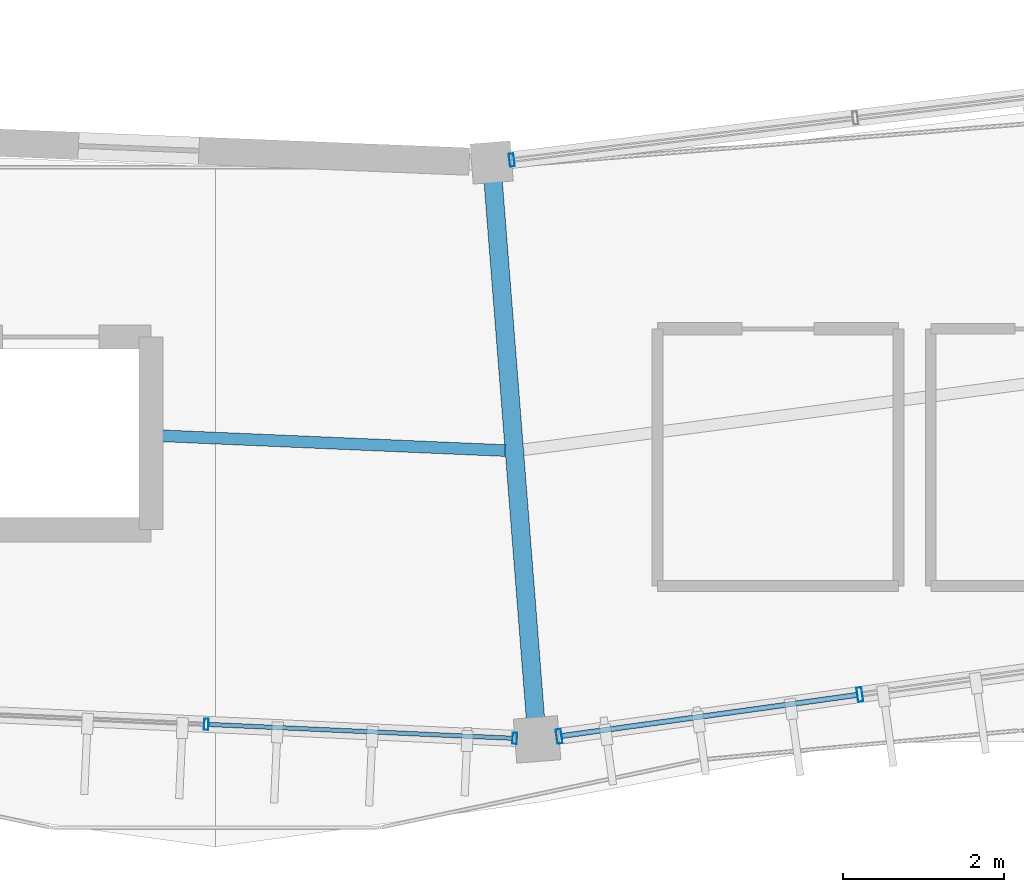
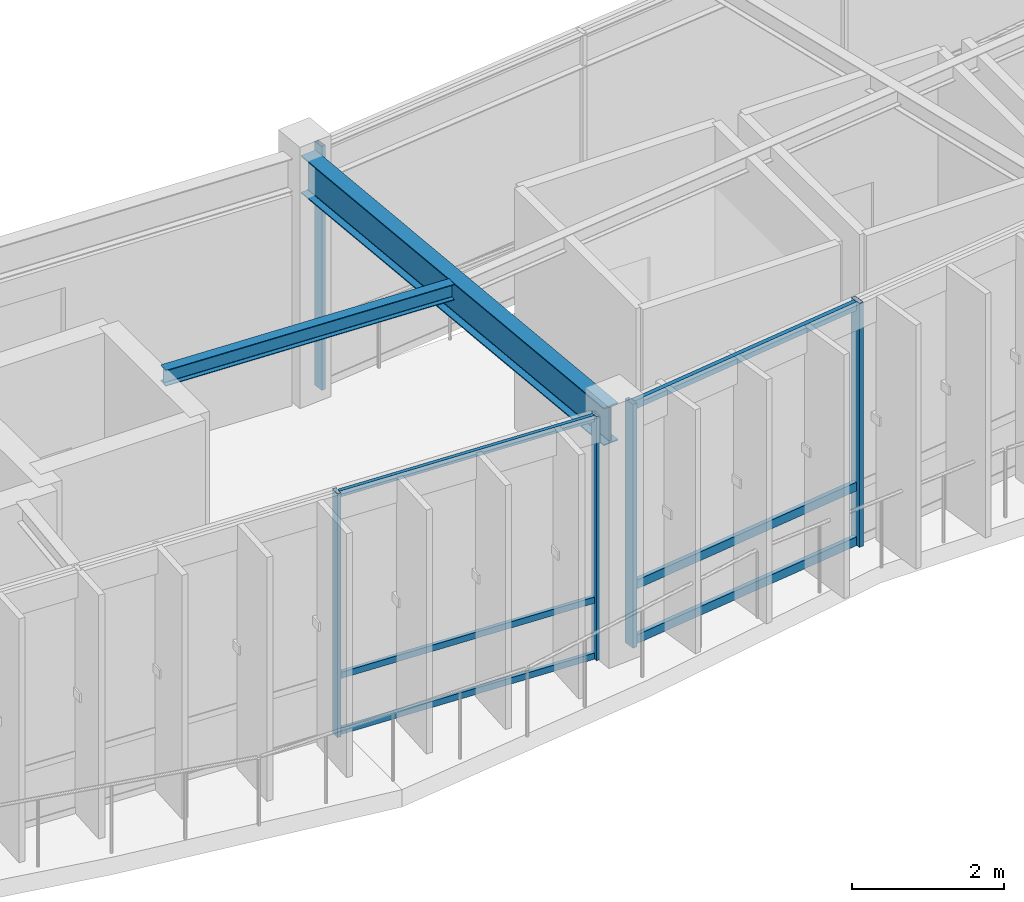
# One storey, part 18 of 79: 11 members, 2 beams, 3 elements without a shape of their own.
"""IFC4 building model written with IfcOpenShell, lengths in metres."""

from ifc_helpers import new_model, si_unit, direction, frame, origin, origin_2d, place, context, subcontext, project, spatial, hollow_rectangle, i_section, extrude, material, material_profile, profile_set, type_object, element, aggregate, save


model = new_model("IFC4")

# Units and contexts
model_context = context("Model", 3, precision=1e-05, world=origin(), true_north=direction((0.0, 1.0)))
body_context = subcontext(model_context, "Body", "Model", "MODEL_VIEW")
ifc_project = project(units=[si_unit("LENGTHUNIT", "METRE"), si_unit("AREAUNIT", "SQUARE_METRE"), si_unit("VOLUMEUNIT", "CUBIC_METRE"), si_unit("PLANEANGLEUNIT", "RADIAN"), si_unit("MASSUNIT", "GRAM", prefix="KILO"), si_unit("THERMODYNAMICTEMPERATUREUNIT", "KELVIN"), si_unit("POWERUNIT", "WATT")], contexts=[model_context])

# Site, building, storey
site_placement = place(None, origin())
site = spatial("IfcSite", under=ifc_project, at=site_placement, CompositionType="ELEMENT")
building_placement = place(site_placement, origin())
building = spatial("IfcBuilding", under=site, at=building_placement, Name="Darbajah Civic Hall", CompositionType="ELEMENT")
storey_placement = place(building_placement, frame((0.0, 0.0, 22.199951171875)))
storey = spatial("IfcBuildingStorey", under=building, at=storey_placement, Name="L05", CompositionType="ELEMENT", Elevation=22.199951171875)

# Curtain wall, members
ifc_material_1 = material(Name="Anodised Bronze Aluminium and Low-E Glazing", Category="aluminium")
curtain_wall_type_1 = type_object("IfcCurtainWallType", Name="Unitised Curtain Wall CW-84 15400x3900", PredefinedType="USERDEFINED", material=ifc_material_1)
curtain_wall_1_placement = place(storey_placement, origin())
curtain_wall_1 = element("IfcCurtainWall", 1, at=curtain_wall_1_placement, inside=storey, type_object=curtain_wall_type_1, Name="L05 unitised curtain wall CW-V1O-L05-14", ObjectType="UNITISED CURTAIN WALL", PredefinedType="USERDEFINED")
ifc_material_2 = material(Name="Anodised Bronze Aluminium", Category="aluminium")
ifc_material_profile_1 = material_profile(ifc_material_2, hollow_rectangle(XDim=0.054931640625, YDim=0.139892578125, WallThickness=0.003173828125, at=origin_2d()), Name="ALU MULLION 55x140")
ifc_profile_set_1 = profile_set([ifc_material_profile_1], Name="Anodised Bronze Aluminium")
member_type_1 = type_object("IfcMemberType", Name="ALU MULLION 55x140", PredefinedType="MULLION", material=ifc_profile_set_1)
member_1_placement = place(storey_placement, frame((88.986328125, 60.578125, 0.0), z_axis=(0.0, 0.0, 1.0), x_axis=(0.998962637241, -0.045537340693, 0.0)))
member_1 = element("IfcMember", 2, at=member_1_placement, type_object=member_type_1, Name="CW-V1O-L05-14 mullion 4", PredefinedType="MULLION", context=body_context, shape_type="SweptSolid", body=[
    extrude(hollow_rectangle(XDim=0.054931640625, YDim=0.139892578125, WallThickness=0.003173828125, at=origin_2d()), origin(), (0.0, 0.0, 1.0), 3.920166015625),
])
member_2_placement = place(storey_placement, frame((92.82470703125, 60.403564453125, 0.0), z_axis=(0.0, 0.0, 1.0), x_axis=(0.998962637241, -0.045537340693, 0.0)))
member_2 = element("IfcMember", 3, at=member_2_placement, type_object=member_type_1, Name="CW-V1O-L05-14 mullion 5", PredefinedType="MULLION", context=body_context, shape_type="SweptSolid", body=[
    extrude(hollow_rectangle(XDim=0.054931640625, YDim=0.139892578125, WallThickness=0.003173828125, at=origin_2d()), origin(), (0.0, 0.0, 1.0), 3.920166015625),
])

# Curtain wall, member
curtain_wall_type_2 = type_object("IfcCurtainWallType", Name="Unitised Curtain Wall CW-73 12900x3900", PredefinedType="USERDEFINED", material=ifc_material_1)
curtain_wall_2_placement = place(storey_placement, origin())
curtain_wall_2 = element("IfcCurtainWall", 4, at=curtain_wall_2_placement, inside=storey, type_object=curtain_wall_type_2, Name="L05 unitised curtain wall CW-V1I-L05-15", ObjectType="UNITISED CURTAIN WALL", PredefinedType="USERDEFINED")
ifc_material_profile_2 = material_profile(ifc_material_2, hollow_rectangle(XDim=0.06005859375, YDim=0.159912109375, WallThickness=0.00341796875, at=origin_2d()), Name="ALU MULLION 60x160")
ifc_profile_set_2 = profile_set([ifc_material_profile_2], Name="Anodised Bronze Aluminium")
member_type_2 = type_object("IfcMemberType", Name="ALU MULLION 60x160", PredefinedType="MULLION", material=ifc_profile_set_2)
member_3_placement = place(storey_placement, frame((92.78662109375, 67.599365234375, 0.0), z_axis=(0.0, 0.0, 1.0), x_axis=(0.992609826221, 0.121349630774, 0.0)))
member_3 = element("IfcMember", 5, at=member_3_placement, type_object=member_type_2, Name="CW-V1I-L05-15 mullion 1", PredefinedType="MULLION", context=body_context, shape_type="SweptSolid", body=[
    extrude(hollow_rectangle(XDim=0.06005859375, YDim=0.159912109375, WallThickness=0.00341796875, at=origin_2d()), origin(), (0.0, 0.0, 1.0), 3.920166015625),
])
aggregate(curtain_wall_2, [member_3])

# Curtain wall, members
curtain_wall_type_3 = type_object("IfcCurtainWallType", Name="Unitised Curtain Wall CW-72 15100x3900", PredefinedType="USERDEFINED", material=ifc_material_1)
curtain_wall_3_placement = place(storey_placement, origin())
curtain_wall_3 = element("IfcCurtainWall", 6, at=curtain_wall_3_placement, inside=storey, type_object=curtain_wall_type_3, Name="L05 unitised curtain wall CW-V1O-L05-15", ObjectType="UNITISED CURTAIN WALL", PredefinedType="USERDEFINED")
ifc_material_profile_3 = material_profile(ifc_material_2, hollow_rectangle(XDim=0.06494140625, YDim=0.179931640625, WallThickness=0.00390625, at=origin_2d()), Name="ALU MULLION 65x180")
ifc_profile_set_3 = profile_set([ifc_material_profile_3], Name="Anodised Bronze Aluminium")
member_type_3 = type_object("IfcMemberType", Name="ALU MULLION 65x180", PredefinedType="MULLION", material=ifc_profile_set_3)
member_4_placement = place(storey_placement, frame((93.375732421875, 60.428955078125, 0.0), z_axis=(0.0, 0.0, 1.0), x_axis=(0.990485459553, 0.137617420457, 0.0)))
member_4 = element("IfcMember", 7, at=member_4_placement, type_object=member_type_3, Name="CW-V1O-L05-15 mullion 1", PredefinedType="MULLION", context=body_context, shape_type="SweptSolid", body=[
    extrude(hollow_rectangle(XDim=0.06494140625, YDim=0.179931640625, WallThickness=0.00390625, at=origin_2d()), origin(), (0.0, 0.0, 1.0), 3.920166015625),
])
member_5_placement = place(storey_placement, frame((97.117431640625, 60.948486328125, 0.0), z_axis=(0.0, 0.0, 1.0), x_axis=(0.990485459553, 0.137617420457, 0.0)))
member_5 = element("IfcMember", 8, at=member_5_placement, type_object=member_type_3, Name="CW-V1O-L05-15 mullion 2", PredefinedType="MULLION", context=body_context, shape_type="SweptSolid", body=[
    extrude(hollow_rectangle(XDim=0.06494140625, YDim=0.179931640625, WallThickness=0.00390625, at=origin_2d()), origin(), (0.0, 0.0, 1.0), 3.920166015625),
])

# Member
ifc_material_profile_4 = material_profile(ifc_material_2, hollow_rectangle(XDim=0.054931640625, YDim=0.10009765625, WallThickness=0.0029296875, at=origin_2d()), Name="ALU TRANSOM 55x100")
ifc_profile_set_4 = profile_set([ifc_material_profile_4], Name="Anodised Bronze Aluminium")
member_type_4 = type_object("IfcMemberType", Name="ALU TRANSOM 55x100", PredefinedType="USERDEFINED", material=ifc_profile_set_4)
member_6_placement = place(storey_placement, frame((89.018798828125, 60.576904296875, 0.050048828125), z_axis=(0.998964271374, -0.045501478199, 0.0), x_axis=(0.045501478199, 0.998964271374, 0.0)))
member_6 = element("IfcMember", 9, at=member_6_placement, type_object=member_type_4, Name="CW-V1O-L05-14 transom 4.1", ObjectType="TRANSOM", PredefinedType="USERDEFINED", context=body_context, shape_type="SweptSolid", body=[
    extrude(hollow_rectangle(XDim=0.054931640625, YDim=0.10009765625, WallThickness=0.0029296875, at=origin_2d()), origin(), (0.0, 0.0, 1.0), 3.77734375),
])

member_7_placement = place(storey_placement, frame((89.018798828125, 60.576904296875, 0.949951171875), z_axis=(0.998964271374, -0.045501478199, 0.0), x_axis=(0.045501478199, 0.998964271374, 0.0)))
member_7 = element("IfcMember", 10, at=member_7_placement, type_object=member_type_4, Name="CW-V1O-L05-14 transom 4.2", ObjectType="TRANSOM", PredefinedType="USERDEFINED", context=body_context, shape_type="SweptSolid", body=[
    extrude(hollow_rectangle(XDim=0.054931640625, YDim=0.10009765625, WallThickness=0.0029296875, at=origin_2d()), origin(), (0.0, 0.0, 1.0), 3.77734375),
])

member_8_placement = place(storey_placement, frame((89.018798828125, 60.576904296875, 3.8701171875), z_axis=(0.998964271374, -0.045501478199, 0.0), x_axis=(0.045501478199, 0.998964271374, 0.0)))
member_8 = element("IfcMember", 11, at=member_8_placement, type_object=member_type_4, Name="CW-V1O-L05-14 transom 4.3", ObjectType="TRANSOM", PredefinedType="USERDEFINED", context=body_context, shape_type="SweptSolid", body=[
    extrude(hollow_rectangle(XDim=0.054931640625, YDim=0.10009765625, WallThickness=0.0029296875, at=origin_2d()), origin(), (0.0, 0.0, 1.0), 3.77734375),
])

aggregate(curtain_wall_1, [member_1, member_2, member_6, member_7, member_8])

ifc_material_profile_5 = material_profile(ifc_material_2, hollow_rectangle(XDim=0.06494140625, YDim=0.139892578125, WallThickness=0.00341796875, at=origin_2d()), Name="ALU TRANSOM 65x140")
ifc_profile_set_5 = profile_set([ifc_material_profile_5], Name="Anodised Bronze Aluminium")
member_type_5 = type_object("IfcMemberType", Name="ALU TRANSOM 65x140", PredefinedType="USERDEFINED", material=ifc_profile_set_5)
member_9_placement = place(storey_placement, frame((93.412841796875, 60.43408203125, 0.070068359375), z_axis=(0.990486781903, 0.137607902665, 0.0), x_axis=(-0.137607902665, 0.990486781903, 0.0)))
member_9 = element("IfcMember", 12, at=member_9_placement, type_object=member_type_5, Name="CW-V1O-L05-15 transom 1.1", ObjectType="TRANSOM", PredefinedType="USERDEFINED", context=body_context, shape_type="SweptSolid", body=[
    extrude(hollow_rectangle(XDim=0.06494140625, YDim=0.139892578125, WallThickness=0.00341796875, at=origin_2d()), origin(), (0.0, 0.0, 1.0), 3.70263671875),
])

member_10_placement = place(storey_placement, frame((93.412841796875, 60.43408203125, 0.949951171875), z_axis=(0.990486781903, 0.137607902665, 0.0), x_axis=(-0.137607902665, 0.990486781903, 0.0)))
member_10 = element("IfcMember", 13, at=member_10_placement, type_object=member_type_5, Name="CW-V1O-L05-15 transom 1.2", ObjectType="TRANSOM", PredefinedType="USERDEFINED", context=body_context, shape_type="SweptSolid", body=[
    extrude(hollow_rectangle(XDim=0.06494140625, YDim=0.139892578125, WallThickness=0.00341796875, at=origin_2d()), origin(), (0.0, 0.0, 1.0), 3.70263671875),
])

member_11_placement = place(storey_placement, frame((93.412841796875, 60.43408203125, 3.85009765625), z_axis=(0.990486781903, 0.137607902665, 0.0), x_axis=(-0.137607902665, 0.990486781903, 0.0)))
member_11 = element("IfcMember", 14, at=member_11_placement, type_object=member_type_5, Name="CW-V1O-L05-15 transom 1.3", ObjectType="TRANSOM", PredefinedType="USERDEFINED", context=body_context, shape_type="SweptSolid", body=[
    extrude(hollow_rectangle(XDim=0.06494140625, YDim=0.139892578125, WallThickness=0.00341796875, at=origin_2d()), origin(), (0.0, 0.0, 1.0), 3.70263671875),
])

aggregate(curtain_wall_3, [member_4, member_5, member_9, member_10, member_11])

# Beams
ifc_material_3 = material(Name="Steel S355JR", Category="steel")
ifc_material_profile_6 = material_profile(ifc_material_3, i_section(OverallWidth=0.146484375, OverallDepth=0.256103515625, WebThickness=0.00634765625, FlangeThickness=0.010986328125, FilletRadius=0.007568359375, at=origin_2d()), Name="UB 254x146x37")
ifc_profile_set_6 = profile_set([ifc_material_profile_6], Name="Steel S355JR")
beam_type_1 = type_object("IfcBeamType", Name="UB 254x146x37", PredefinedType="JOIST", material=ifc_profile_set_6)
beam_1_placement = place(storey_placement, frame((88.419921875, 64.1689453125, 3.7919921875), z_axis=(0.999077737956, -0.042938019518, 0.0), x_axis=(0.042938019518, 0.999077737956, 0.0)))
element("IfcBeam", 15, at=beam_1_placement, inside=storey, type_object=beam_type_1, Name="L05 beam SJ-254", PredefinedType="JOIST", context=body_context, shape_type="SweptSolid", body=[
    extrude(i_section(OverallWidth=0.146484375, OverallDepth=0.256103515625, WebThickness=0.00634765625, FlangeThickness=0.010986328125, FilletRadius=0.007568359375, at=origin_2d()), origin(), (0.0, 0.0, 1.0), 4.287109375),
])
ifc_material_profile_7 = material_profile(ifc_material_3, i_section(OverallWidth=0.228271484375, OverallDepth=0.607666015625, WebThickness=0.010986328125, FlangeThickness=0.017333984375, FilletRadius=0.0126953125, at=origin_2d()), Name="UB 610x229x113")
ifc_profile_set_7 = profile_set([ifc_material_profile_7], Name="Steel S355JR")
beam_type_2 = type_object("IfcBeamType", Name="UB 610x229x113", PredefinedType="BEAM", material=ifc_profile_set_7)
beam_2_placement = place(storey_placement, frame((92.542724609375, 67.489013671875, 3.6162109375), z_axis=(0.078478466478, -0.996915809033, 0.0), x_axis=(0.996915809033, 0.078478466478, 0.0)))
element("IfcBeam", 16, at=beam_2_placement, inside=storey, type_object=beam_type_2, Name="L05 beam SB-610", PredefinedType="BEAM", context=body_context, shape_type="SweptSolid", body=[
    extrude(i_section(OverallWidth=0.228271484375, OverallDepth=0.607666015625, WebThickness=0.010986328125, FlangeThickness=0.017333984375, FilletRadius=0.0126953125, at=origin_2d()), origin(), (0.0, 0.0, 1.0), 7.0400390625),
])

save(model, "model.ifc")
